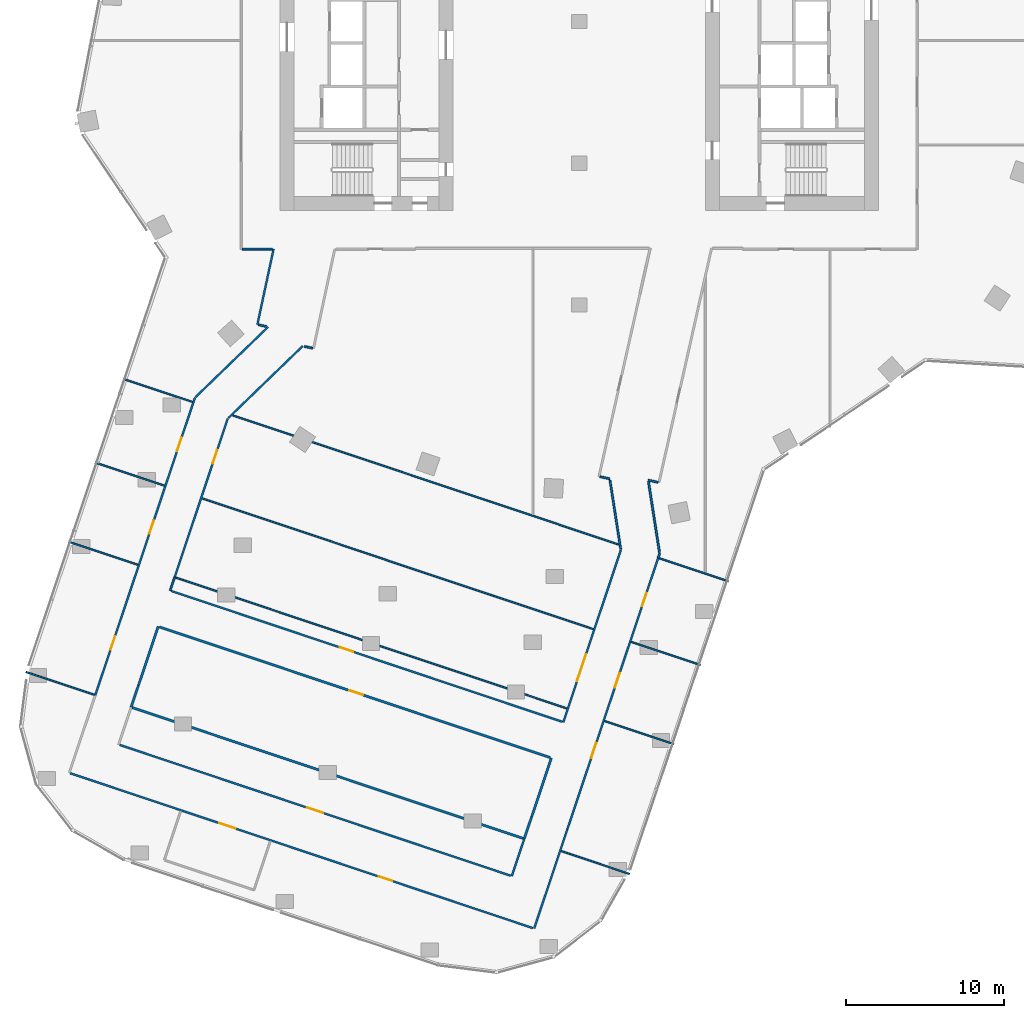
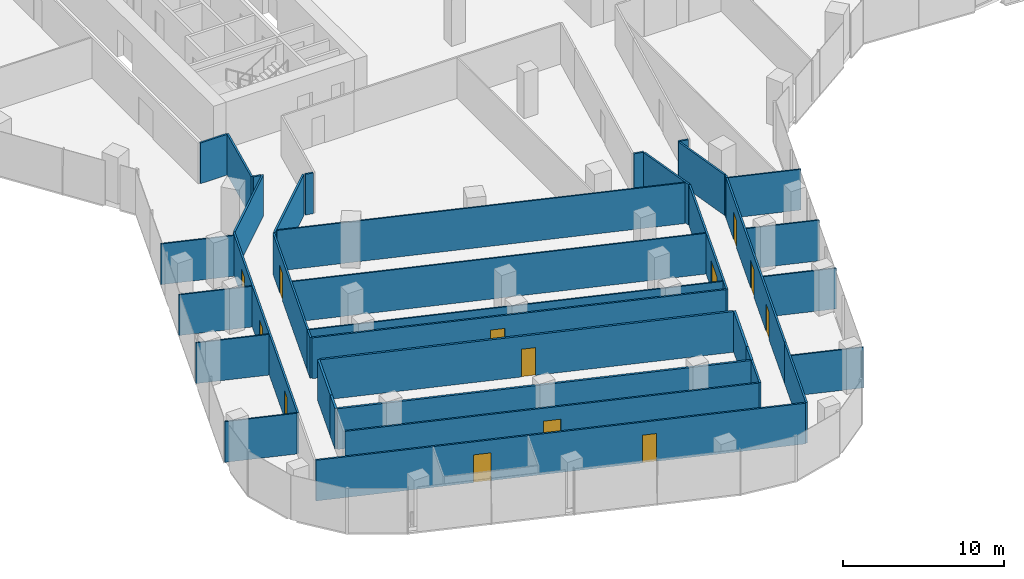
# One storey, part 19 of 26: 38 walls, 13 doors, 13 openings.
"""IFC4 building model written with IfcOpenShell, lengths in metres."""

import ifcopenshell
import ifcopenshell.guid

model = None  # the IFC model being written
_history = None  # IfcOwnerHistory: only IFC2X3 demands one
_inside = {}  # id of a spatial element -> (the spatial element, [elements in it])
_under = {}  # id of a project, library or spatial element -> (it, [spatial elements below it])
_declared = {}  # id of a project -> (the project, [libraries it declares])
_typed = {}  # id of a type object -> (the type object, [elements of that type])
_made_of = {}  # id of a material, layer set ... -> (it, [elements and type objects made of it])


def new_model(schema):
    """Start an empty IFC model of exactly this schema.

    Asked for "IFC4X3", IfcOpenShell would pick the latest addendum, in which some entities
    have other attributes; the version numbers below select the first issue.
    IFC2X3 requires an IfcOwnerHistory on every rooted entity: one is made here for all.
    """
    global model, _history
    if schema == "IFC4X3":
        model = ifcopenshell.file(schema_version=(4, 3, 0, 0))
    else:
        model = ifcopenshell.file(schema=schema)
    _inside.clear()
    _under.clear()
    _declared.clear()
    _typed.clear()
    _made_of.clear()
    _history = None
    if model.schema == "IFC2X3":
        org = make("IfcOrganization", Name="unknown")
        user = make(
            "IfcPersonAndOrganization",
            ThePerson=make("IfcPerson", FamilyName="unknown"),
            TheOrganization=org,
        )
        app = make(
            "IfcApplication",
            ApplicationDeveloper=org,
            Version="unknown",
            ApplicationFullName="unknown",
            ApplicationIdentifier="unknown",
        )
        _history = make(
            "IfcOwnerHistory",
            OwningUser=user,
            OwningApplication=app,
            ChangeAction="ADDED",
            CreationDate=0,
        )
    return model


def make(cls, **values):
    """One entity of the class cls with the attributes given. An attribute that is None is left unset."""
    return model.create_entity(
        cls, **{name: value for name, value in values.items() if value is not None}
    )


def rooted(cls, **values):
    """An entity with a GlobalId (a new one), such as an element, a storey or a relation."""
    return make(cls, GlobalId=ifcopenshell.guid.new(), OwnerHistory=_history, **values)


def si_unit(unit_type, name, prefix=None):
    """IfcSIUnit, for example si_unit("LENGTHUNIT", "METRE", prefix="MILLI")."""
    return make("IfcSIUnit", UnitType=unit_type, Prefix=prefix, Name=name)


def assignment(units):
    """IfcUnitAssignment: the units of a project."""
    return None if units is None else make("IfcUnitAssignment", Units=units)


def point(xyz):
    """IfcCartesianPoint."""
    return None if xyz is None else make("IfcCartesianPoint", Coordinates=xyz)


def direction(xyz):
    """IfcDirection."""
    return None if xyz is None else make("IfcDirection", DirectionRatios=xyz)


def frame(location, z_axis=None, x_axis=None):
    """IfcAxis2Placement3D, a coordinate frame: its origin and axes. An axis left out is left unset."""
    return make(
        "IfcAxis2Placement3D",
        Location=point(location),
        Axis=direction(z_axis),
        RefDirection=direction(x_axis),
    )


def frame_2d(location, x_axis=None):
    """IfcAxis2Placement2D, a coordinate frame in the plane: its origin and x axis."""
    return make(
        "IfcAxis2Placement2D", Location=point(location), RefDirection=direction(x_axis)
    )


def origin():
    """The frame at (0, 0, 0) with its axes left unset."""
    return frame((0.0, 0.0, 0.0))


def place(relative_to, where):
    """IfcLocalPlacement: puts the frame where relative to a parent placement (None: the world)."""
    return make(
        "IfcLocalPlacement", PlacementRelTo=relative_to, RelativePlacement=where
    )


def context(
    kind, dimensions, precision=None, world=None, true_north=None, identifier=None
):
    """IfcGeometricRepresentationContext, for example the 3D "Model" context."""
    return make(
        "IfcGeometricRepresentationContext",
        ContextIdentifier=identifier,
        ContextType=kind,
        CoordinateSpaceDimension=dimensions,
        Precision=precision,
        WorldCoordinateSystem=world,
        TrueNorth=true_north,
    )


def subcontext(parent, identifier, kind, view, scale=None):
    """IfcGeometricRepresentationSubContext, for example "Body" below "Model"."""
    return make(
        "IfcGeometricRepresentationSubContext",
        ContextIdentifier=identifier,
        ContextType=kind,
        ParentContext=parent,
        TargetScale=scale,
        TargetView=view,
    )


def project(units=None, contexts=None):
    """IfcProject with its units and contexts."""
    return rooted(
        "IfcProject",
        Name="project",
        RepresentationContexts=contexts,
        UnitsInContext=assignment(units),
    )


def spatial(cls, under=None, at=None, **own):
    """A site, building, storey or space (cls), placed at a placement, below another one or the project."""
    s = rooted(cls, ObjectPlacement=at, **own)
    if under is not None:
        _under.setdefault(under.id(), (under, []))[1].append(s)
    return s


def profile(cls, at=None, kind="AREA", **sizes):
    """A parametric profile (cls). Its sizes go by their IFC names, for example OverallWidth=200.0."""
    return make(cls, ProfileType=kind, Position=at, **sizes)


def rectangle(**sizes):
    """IfcRectangleProfileDef."""
    return profile("IfcRectangleProfileDef", **sizes)


def extrude(swept, where, along, depth):
    """IfcExtrudedAreaSolid: the profile swept, set in the frame where, extruded along a direction by depth."""
    return make(
        "IfcExtrudedAreaSolid",
        SweptArea=swept,
        Position=where,
        ExtrudedDirection=direction(along),
        Depth=depth,
    )


def shape(context_of_items, identifier, shape_type, items):
    """IfcShapeRepresentation: the items that make up one representation, for example the "Body"."""
    return make(
        "IfcShapeRepresentation",
        ContextOfItems=context_of_items,
        RepresentationIdentifier=identifier,
        RepresentationType=shape_type,
        Items=items,
    )


def material(Name=None, Category=None):
    """IfcMaterial."""
    return make("IfcMaterial", Name=Name, Category=Category)


def layer(
    of_material, thickness, ventilated=None, Name=None, Category=None, Priority=None
):
    """IfcMaterialLayer: one layer of a wall or slab, of a material (None: an air gap)."""
    return make(
        "IfcMaterialLayer",
        Material=of_material,
        LayerThickness=thickness,
        IsVentilated=ventilated,
        Name=Name,
        Category=Category,
        Priority=Priority,
    )


def layer_set(layers, Name=None):
    """IfcMaterialLayerSet."""
    return make("IfcMaterialLayerSet", MaterialLayers=layers, LayerSetName=Name)


def made_of(thing, what):
    """Note that an element or type object is made of a material, layer set ...; save() writes the relation."""
    if what is not None:
        _made_of.setdefault(what.id(), (what, []))[1].append(thing)
    return thing


def type_object(cls, material=None, **own):
    """A type object (cls), such as IfcWallType, which elements share."""
    return made_of(rooted(cls, **own), material)


def element(
    cls,
    number,
    at=None,
    inside=None,
    cuts=None,
    type_object=None,
    material=None,
    context=None,
    identifier="Body",
    shape_type=None,
    held_by="IfcProductDefinitionShape",
    body=None,
    shapes=None,
    **own,
):
    """One element of the class cls, such as IfcWall. Its Tag is "e" and its number.

    at: its placement. inside: the storey or other place that contains it. cuts: it is an
    opening in that element (IfcRelVoidsElement). A single representation is given by context,
    identifier, shape_type and body (its items); several are given by shapes. held_by: the class
    of the entity that holds the representations. save() writes the other relations.
    """
    e = rooted(cls, Tag="e%d" % number, ObjectPlacement=at, **own)
    if body is not None:
        shapes = [shape(context, identifier, shape_type, body)]
    if shapes is not None:
        e.Representation = make(held_by, Representations=shapes)
    if inside is not None:
        _inside.setdefault(inside.id(), (inside, []))[1].append(e)
    if cuts is not None:
        rooted(
            "IfcRelVoidsElement", RelatingBuildingElement=cuts, RelatedOpeningElement=e
        )
    if type_object is not None:
        _typed.setdefault(type_object.id(), (type_object, []))[1].append(e)
    return made_of(e, material)


def fill(opening, filler):
    """IfcRelFillsElement: the door or window that sits in an opening."""
    return rooted(
        "IfcRelFillsElement",
        RelatingOpeningElement=opening,
        RelatedBuildingElement=filler,
    )


def aggregate(whole, parts):
    """IfcRelAggregates: a whole, such as a stair, and the parts it consists of."""
    return rooted("IfcRelAggregates", RelatingObject=whole, RelatedObjects=parts)


def save(model, path):
    """Write the relations noted so far, then the file.

    IfcRelAggregates (storeys below a building ...), IfcRelContainedInSpatialStructure (elements
    in a storey), IfcRelDefinesByType, IfcRelAssociatesMaterial and IfcRelDeclares: one each for
    every whole, place, type object, material and project.
    """
    for whole, parts in _under.values():
        aggregate(whole, parts)
    for where, things in _inside.values():
        rooted(
            "IfcRelContainedInSpatialStructure",
            RelatedElements=things,
            RelatingStructure=where,
        )
    for kind, things in _typed.values():
        rooted("IfcRelDefinesByType", RelatedObjects=things, RelatingType=kind)
    for what, things in _made_of.values():
        rooted("IfcRelAssociatesMaterial", RelatedObjects=things, RelatingMaterial=what)
    for by, libraries in _declared.values():
        rooted("IfcRelDeclares", RelatingContext=by, RelatedDefinitions=libraries)
    model.write(path)


model = new_model("IFC4")

# Units and contexts
model_context = context("Model", 3, precision=1e-05, world=origin(), true_north=direction((0.0, 1.0)))
body_context = subcontext(model_context, "Body", "Model", "MODEL_VIEW")
ifc_project = project(units=[si_unit("LENGTHUNIT", "METRE"), si_unit("AREAUNIT", "SQUARE_METRE"), si_unit("VOLUMEUNIT", "CUBIC_METRE"), si_unit("PLANEANGLEUNIT", "RADIAN"), si_unit("MASSUNIT", "GRAM", prefix="KILO")], contexts=[model_context])

# Site, building, storey
site_placement = place(None, origin())
site = spatial("IfcSite", under=ifc_project, at=site_placement, CompositionType="ELEMENT")
building_placement = place(site_placement, origin())
building = spatial("IfcBuilding", under=site, at=building_placement, Name="Orlundy Tower", CompositionType="ELEMENT")
storey_placement = place(building_placement, frame((0.0, 0.0, 156.10009765625)))
storey = spatial("IfcBuildingStorey", under=building, at=storey_placement, Name="L40", CompositionType="ELEMENT", Elevation=156.10009765625)

# Walls
ifc_material_1 = material(Name="Gypsum board partition")
ifc_layer_1 = layer(ifc_material_1, 0.10009765625)
ifc_layer_set_1 = layer_set([ifc_layer_1], Name="Floor partition 100")
wall_type_1 = type_object("IfcWallType", Name="Floor partition 100", PredefinedType="PARTITIONING", material=ifc_layer_set_1)
wall_1_placement = place(storey_placement, frame((-35.112060546875, -41.2919921875, 0.0), z_axis=(0.0, 0.0, 1.0), x_axis=(0.94831984375, -0.317316047419, 0.0)))
element("IfcWall", 1, at=wall_1_placement, inside=storey, type_object=wall_type_1, Name="wall-int-L40-006", PredefinedType="PARTITIONING", context=body_context, shape_type="SweptSolid", body=[
    extrude(rectangle(XDim=4.57568359375, YDim=0.10009765625, at=frame_2d((2.287841796875, 0.0))), origin(), (0.0, 0.0, 1.0), 3.079833984375),
])
wall_2_placement = place(storey_placement, frame((-1.14892578125, -52.656982421875, 0.0), z_axis=(0.0, 0.0, 1.0), x_axis=(0.948400148701, -0.317075949805, 0.0)))
element("IfcWall", 2, at=wall_2_placement, inside=storey, type_object=wall_type_1, Name="wall-int-L40-008", PredefinedType="PARTITIONING", context=body_context, shape_type="SweptSolid", body=[
    extrude(rectangle(XDim=4.575927734375, YDim=0.10009765625, at=frame_2d((2.2880859375, 0.0))), origin(), (0.0, 0.0, 1.0), 3.079833984375),
])
wall_3_placement = place(storey_placement, frame((-32.404052734375, -33.02490234375, 0.0), z_axis=(0.0, 0.0, 1.0), x_axis=(0.948382448694, -0.317128887062, 0.0)))
element("IfcWall", 3, at=wall_3_placement, inside=storey, type_object=wall_type_1, Name="wall-int-L40-011", PredefinedType="PARTITIONING", context=body_context, shape_type="SweptSolid", body=[
    extrude(rectangle(XDim=4.632080078125, YDim=0.10009765625, at=frame_2d((2.31591796875, 0.0))), origin(), (0.0, 0.0, 1.0), 3.079833984375),
])
wall_4_placement = place(storey_placement, frame((-25.616943359375, -35.2958984375, 0.0), z_axis=(0.0, 0.0, 1.0), x_axis=(0.948326561211, -0.317295971139, 0.0)))
element("IfcWall", 4, at=wall_4_placement, inside=storey, type_object=wall_type_1, Name="wall-int-L40-012", PredefinedType="PARTITIONING", context=body_context, shape_type="SweptSolid", body=[
    extrude(rectangle(XDim=26.187255859375, YDim=0.10009765625, at=frame_2d((13.09375, 0.0))), origin(), (0.0, 0.0, 1.0), 3.079833984375),
])
wall_5_placement = place(storey_placement, frame((1.612060546875, -44.406982421875, 0.0), z_axis=(0.0, 0.0, 1.0), x_axis=(0.948334710824, -0.317271612734, 0.0)))
element("IfcWall", 5, at=wall_5_placement, inside=storey, type_object=wall_type_1, Name="wall-int-L40-013", PredefinedType="PARTITIONING", context=body_context, shape_type="SweptSolid", body=[
    extrude(rectangle(XDim=4.630126953125, YDim=0.10009765625, at=frame_2d((2.31494140625, 0.0))), origin(), (0.0, 0.0, 1.0), 3.079833984375),
])
wall_6_placement = place(storey_placement, frame((-30.721923828125, -27.9990234375, 0.0), z_axis=(0.0, 0.0, 1.0), x_axis=(0.948355935611, -0.317208164132, 0.0)))
element("IfcWall", 6, at=wall_6_placement, inside=storey, type_object=wall_type_1, Name="wall-int-L40-014", PredefinedType="PARTITIONING", context=body_context, shape_type="SweptSolid", body=[
    extrude(rectangle(XDim=4.631103515625, YDim=0.10009765625, at=frame_2d((2.3154296875, 0.0))), origin(), (0.0, 0.0, 1.0), 3.079833984375),
])
wall_7_placement = place(storey_placement, frame((-23.93505859375, -30.27001953125, 0.0), z_axis=(0.0, 0.0, 1.0), x_axis=(0.948326561211, -0.317295971139, 0.0)))
element("IfcWall", 7, at=wall_7_placement, inside=storey, type_object=wall_type_1, Name="wall-int-L40-015", PredefinedType="PARTITIONING", context=body_context, shape_type="SweptSolid", body=[
    extrude(rectangle(XDim=26.187255859375, YDim=0.10009765625, at=frame_2d((13.09375, 0.0))), origin(), (0.0, 0.0, 1.0), 3.079833984375),
])
wall_8_placement = place(storey_placement, frame((3.2939453125, -39.3798828125, 0.0), z_axis=(0.0, 0.0, 1.0), x_axis=(0.948260676976, -0.317492816455, 0.0)))
element("IfcWall", 8, at=wall_8_placement, inside=storey, type_object=wall_type_1, Name="wall-int-L40-016", PredefinedType="PARTITIONING", context=body_context, shape_type="SweptSolid", body=[
    extrude(rectangle(XDim=4.630615234375, YDim=0.10009765625, at=frame_2d((2.3154296875, 0.0))), origin(), (0.0, 0.0, 1.0), 3.079833984375),
])
wall_9_placement = place(storey_placement, frame((-28.943115234375, -22.681884765625, 0.0), z_axis=(0.0, 0.0, 1.0), x_axis=(0.948361239818, -0.317192305725, 0.0)))
element("IfcWall", 9, at=wall_9_placement, inside=storey, type_object=wall_type_1, Name="wall-int-L40-017", PredefinedType="PARTITIONING", context=body_context, shape_type="SweptSolid", body=[
    extrude(rectangle(XDim=4.63134765625, YDim=0.10009765625, at=frame_2d((2.315673828125, 0.0))), origin(), (0.0, 0.0, 1.0), 3.079833984375),
])
wall_10_placement = place(storey_placement, frame((-21.97998046875, -25.011962890625, 0.0), z_axis=(0.0, 0.0, 1.0), x_axis=(0.948330909895, -0.317282973603, 0.0)))
element("IfcWall", 10, at=wall_10_placement, inside=storey, type_object=wall_type_1, Name="wall-int-L40-018", PredefinedType="PARTITIONING", context=body_context, shape_type="SweptSolid", body=[
    extrude(rectangle(XDim=25.81591796875, YDim=0.10009765625, at=frame_2d((12.907958984375, 0.0))), origin(), (0.0, 0.0, 1.0), 3.079833984375),
])
wall_11_placement = place(storey_placement, frame((5.072021484375, -34.06396484375, 0.0), z_axis=(0.0, 0.0, 1.0), x_axis=(0.948361239818, -0.317192305725, 0.0)))
element("IfcWall", 11, at=wall_11_placement, inside=storey, type_object=wall_type_1, Name="wall-int-L40-019", PredefinedType="PARTITIONING", context=body_context, shape_type="SweptSolid", body=[
    extrude(rectangle(XDim=4.63134765625, YDim=0.10009765625, at=frame_2d((2.315673828125, 0.0))), origin(), (0.0, 0.0, 1.0), 3.079833984375),
])
ifc_material_2 = material(Name="Gypsum board partition, double layer")
ifc_layer_2 = layer(ifc_material_2, 0.125)
ifc_layer_set_2 = layer_set([ifc_layer_2], Name="Floor partition 125")
wall_type_2 = type_object("IfcWallType", Name="Floor partition 125", PredefinedType="PARTITIONING", material=ifc_layer_set_2)
wall_12_placement = place(storey_placement, frame((2.634033203125, -33.4970703125, 0.0), z_axis=(0.0, 0.0, 1.0), x_axis=(-0.153972826204, 0.988075082567, 0.0)))
element("IfcWall", 12, at=wall_12_placement, inside=storey, type_object=wall_type_2, Name="wall-int-L40-001", PredefinedType="PARTITIONING", context=body_context, shape_type="SweptSolid", body=[
    extrude(rectangle(XDim=4.423828125, YDim=0.125, at=frame_2d((2.2119140625, 0.0))), origin(), (0.0, 0.0, 1.0), 3.079833984375),
])
wall_13_placement = place(storey_placement, frame((4.39501953125, -29.20703125, 0.0), z_axis=(0.0, 0.0, 1.0), x_axis=(0.153971141753, -0.988075345056, 0.0)))
element("IfcWall", 13, at=wall_13_placement, inside=storey, type_object=wall_type_2, Name="wall-int-L40-002", PredefinedType="PARTITIONING", context=body_context, shape_type="SweptSolid", body=[
    extrude(rectangle(XDim=4.55224609375, YDim=0.125, at=frame_2d((2.276123046875, 0.0))), origin(), (0.0, 0.0, 1.0), 3.079833984375),
])

# Wall, openings, doors
wall_14_placement = place(storey_placement, frame((-2.93994140625, -57.547119140625, 0.0), z_axis=(0.0, 0.0, 1.0), x_axis=(-0.948265401731, 0.317478704609, 0.0)))
wall_14 = element("IfcWall", 14, at=wall_14_placement, inside=storey, type_object=wall_type_2, Name="wall-int-L40-004", PredefinedType="PARTITIONING", context=body_context, shape_type="SweptSolid", body=[
    extrude(rectangle(XDim=30.966064453125, YDim=0.125, at=frame_2d((15.48291015625, 0.0))), origin(), (0.0, 0.0, 1.0), 3.079833984375),
])
opening_1_placement = place(wall_14_placement, frame((9.415283203125, 0.0, 0.0)))
opening_1 = element("IfcOpeningElement", 15, at=opening_1_placement, cuts=wall_14, Name="Opening 31108", PredefinedType="OPENING", context=body_context, shape_type="SweptSolid", body=[
    extrude(rectangle(XDim=0.89990234375, YDim=2.10009765625, at=frame_2d((0.449951171875, 1.050048828125))), frame((0.0, 0.072509765625, 0.0), z_axis=(0.0, -1.0, 0.0), x_axis=(1.0, 0.0, 0.0)), (0.0, 0.0, 1.0), 0.14501953125),
])
opening_2_placement = place(wall_14_placement, frame((19.899658203125, 0.0, 0.0)))
opening_2 = element("IfcOpeningElement", 16, at=opening_2_placement, cuts=wall_14, Name="Opening 31128", PredefinedType="OPENING", context=body_context, shape_type="SweptSolid", body=[
    extrude(rectangle(XDim=1.10009765625, YDim=2.10009765625, at=frame_2d((0.550048828125, 1.050048828125))), frame((0.0, 0.072509765625, 0.0), z_axis=(0.0, -1.0, 0.0), x_axis=(1.0, 0.0, 0.0)), (0.0, 0.0, 1.0), 0.14501953125),
])
ifc_material_3 = material(Name="Timber door leaf", Category="wood")
door_type_1 = type_object("IfcDoorType", Name="Floor door single 900 FD30S", OperationType="NOTDEFINED", PredefinedType="DOOR", material=ifc_material_3)
door_1_placement = place(opening_1_placement, origin())
door_1 = element("IfcDoor", 17, at=door_1_placement, inside=storey, type_object=door_type_1, Name="Door 31108", OperationType="SINGLE_SWING_LEFT", OverallHeight=2.10009765625, OverallWidth=0.89990234375, PredefinedType="DOOR", context=body_context, shape_type="SweptSolid", body=[
    extrude(rectangle(XDim=0.89990234375, YDim=2.10009765625, at=frame_2d((0.449951171875, 1.050048828125))), frame((0.0, 0.02490234375, 0.0), z_axis=(0.0, -1.0, 0.0), x_axis=(1.0, 0.0, 0.0)), (0.0, 0.0, 1.0), 0.050048828125),
])
fill(opening_1, door_1)
ifc_material_4 = material(Name="Timber door leaf", Category="wood")
door_type_2 = type_object("IfcDoorType", Name="Floor door xwide 1100 FD30S", OperationType="NOTDEFINED", PredefinedType="DOOR", material=ifc_material_4)
door_2_placement = place(opening_2_placement, origin())
door_2 = element("IfcDoor", 18, at=door_2_placement, inside=storey, type_object=door_type_2, Name="Door 31128", OperationType="SINGLE_SWING_RIGHT", OverallHeight=2.10009765625, OverallWidth=1.10009765625, PredefinedType="DOOR", context=body_context, shape_type="SweptSolid", body=[
    extrude(rectangle(XDim=1.10009765625, YDim=2.10009765625, at=frame_2d((0.550048828125, 1.050048828125))), frame((0.0, 0.02490234375, 0.0), z_axis=(0.0, -1.0, 0.0), x_axis=(1.0, 0.0, 0.0)), (0.0, 0.0, 1.0), 0.050048828125),
])
fill(opening_2, door_2)

# Wall, opening, door
wall_15_placement = place(storey_placement, frame((-29.1708984375, -45.9169921875, 0.0), z_axis=(0.0, 0.0, 1.0), x_axis=(0.948337781815, -0.317262433299, 0.0)))
wall_15 = element("IfcWall", 19, at=wall_15_placement, inside=storey, type_object=wall_type_2, Name="wall-int-L40-005", PredefinedType="PARTITIONING", context=body_context, shape_type="SweptSolid", body=[
    extrude(rectangle(XDim=26.186767578125, YDim=0.125, at=frame_2d((13.09326171875, 0.0))), origin(), (0.0, 0.0, 1.0), 3.079833984375),
])
opening_3_placement = place(wall_15_placement, frame((12.53759765625, 0.0, 0.0)))
opening_3 = element("IfcOpeningElement", 20, at=opening_3_placement, cuts=wall_15, Name="Opening 31107", PredefinedType="OPENING", context=body_context, shape_type="SweptSolid", body=[
    extrude(rectangle(XDim=1.10009765625, YDim=2.10009765625, at=frame_2d((0.550048828125, 1.050048828125))), frame((0.0, 0.072509765625, 0.0), z_axis=(0.0, -1.0, 0.0), x_axis=(1.0, 0.0, 0.0)), (0.0, 0.0, 1.0), 0.14501953125),
])
door_3_placement = place(opening_3_placement, origin())
door_3 = element("IfcDoor", 21, at=door_3_placement, inside=storey, type_object=door_type_2, Name="Door 31107", OperationType="SINGLE_SWING_LEFT", OverallHeight=2.10009765625, OverallWidth=1.10009765625, PredefinedType="DOOR", context=body_context, shape_type="SweptSolid", body=[
    extrude(rectangle(XDim=1.10009765625, YDim=2.10009765625, at=frame_2d((0.550048828125, 1.050048828125))), frame((0.0, 0.02490234375, 0.0), z_axis=(0.0, -1.0, 0.0), x_axis=(1.0, 0.0, 0.0)), (0.0, 0.0, 1.0), 0.050048828125),
])
fill(opening_3, door_3)

wall_16_placement = place(storey_placement, frame((-25.90087890625, -36.14599609375, 0.0), z_axis=(0.0, 0.0, 1.0), x_axis=(0.948326561211, -0.317295971139, 0.0)))
wall_16 = element("IfcWall", 22, at=wall_16_placement, inside=storey, type_object=wall_type_2, Name="wall-int-L40-010", PredefinedType="PARTITIONING", context=body_context, shape_type="SweptSolid", body=[
    extrude(rectangle(XDim=26.187255859375, YDim=0.125, at=frame_2d((13.09375, 0.0))), origin(), (0.0, 0.0, 1.0), 3.079833984375),
])
opening_4_placement = place(wall_16_placement, frame((11.28759765625, 0.0, 0.0)))
opening_4 = element("IfcOpeningElement", 23, at=opening_4_placement, cuts=wall_16, Name="Opening 31105", PredefinedType="OPENING", context=body_context, shape_type="SweptSolid", body=[
    extrude(rectangle(XDim=0.89990234375, YDim=2.10009765625, at=frame_2d((0.449951171875, 1.050048828125))), frame((0.0, 0.072509765625, 0.0), z_axis=(0.0, -1.0, 0.0), x_axis=(1.0, 0.0, 0.0)), (0.0, 0.0, 1.0), 0.14501953125),
])
door_4_placement = place(opening_4_placement, origin())
door_4 = element("IfcDoor", 24, at=door_4_placement, inside=storey, type_object=door_type_1, Name="Door 31105", OperationType="SINGLE_SWING_LEFT", OverallHeight=2.10009765625, OverallWidth=0.89990234375, PredefinedType="DOOR", context=body_context, shape_type="SweptSolid", body=[
    extrude(rectangle(XDim=0.89990234375, YDim=2.10009765625, at=frame_2d((0.449951171875, 1.050048828125))), frame((0.0, 0.02490234375, 0.0), z_axis=(0.0, -1.0, 0.0), x_axis=(1.0, 0.0, 0.0)), (0.0, 0.0, 1.0), 0.050048828125),
])
fill(opening_4, door_4)

# Walls
wall_17_placement = place(storey_placement, frame((1.31689453125, -28.89599609375, 0.0), z_axis=(0.0, 0.0, 1.0), x_axis=(0.9759612217, -0.217944244563, 0.0)))
element("IfcWall", 25, at=wall_17_placement, inside=storey, type_object=wall_type_2, Name="wall-int-L40-020", PredefinedType="PARTITIONING", context=body_context, shape_type="SweptSolid", body=[
    extrude(rectangle(XDim=0.637451171875, YDim=0.125, at=frame_2d((0.31884765625, 0.0))), origin(), (0.0, 0.0, 1.0), 3.079833984375),
])
wall_18_placement = place(storey_placement, frame((4.381103515625, -29.115966796875, 0.0), z_axis=(0.0, 0.0, 1.0), x_axis=(0.975943017671, -0.218025746782, 0.0)))
element("IfcWall", 26, at=wall_18_placement, inside=storey, type_object=wall_type_2, Name="wall-int-L40-021", PredefinedType="PARTITIONING", context=body_context, shape_type="SweptSolid", body=[
    extrude(rectangle(XDim=0.63720703125, YDim=0.125, at=frame_2d((0.318603515625, 0.0))), origin(), (0.0, 0.0, 1.0), 3.079833984375),
])
wall_19_placement = place(storey_placement, frame((-17.43310546875, -20.6298828125, 0.0), z_axis=(0.0, 0.0, 1.0), x_axis=(0.977781820865, -0.209625167351, 0.0)))
element("IfcWall", 27, at=wall_19_placement, inside=storey, type_object=wall_type_2, Name="wall-int-L40-022", PredefinedType="PARTITIONING", context=body_context, shape_type="SweptSolid", body=[
    extrude(rectangle(XDim=0.5205078125, YDim=0.125, at=frame_2d((0.26025390625, 0.0))), origin(), (0.0, 0.0, 1.0), 3.079833984375),
])
wall_20_placement = place(storey_placement, frame((-20.364013671875, -19.25390625, 0.0), z_axis=(0.0, 0.0, 1.0), x_axis=(0.977699164018, -0.210010344217, 0.0)))
element("IfcWall", 28, at=wall_20_placement, inside=storey, type_object=wall_type_2, Name="wall-int-L40-023", PredefinedType="PARTITIONING", context=body_context, shape_type="SweptSolid", body=[
    extrude(rectangle(XDim=0.51953125, YDim=0.125, at=frame_2d((0.259765625, 0.0))), origin(), (0.0, 0.0, 1.0), 3.079833984375),
])
wall_21_placement = place(storey_placement, frame((-21.386962890625, -14.450927734375, 0.0), z_axis=(0.0, 0.0, 1.0), x_axis=(1.0, 0.0, 0.0)))
element("IfcWall", 29, at=wall_21_placement, inside=storey, type_object=wall_type_2, Name="wall-int-L40-024", PredefinedType="PARTITIONING", context=body_context, shape_type="SweptSolid", body=[
    extrude(rectangle(XDim=1.911865234375, YDim=0.125, at=frame_2d((0.9560546875, 0.0))), origin(), (0.0, 0.0, 1.0), 3.079833984375),
])
wall_22_placement = place(storey_placement, frame((-17.547119140625, -20.60498046875, 0.0), z_axis=(0.0, 0.0, 1.0), x_axis=(-0.718656118165, -0.695365647572, 0.0)))
element("IfcWall", 30, at=wall_22_placement, inside=storey, type_object=wall_type_2, Name="wall-int-L40-038", PredefinedType="PARTITIONING", context=body_context, shape_type="SweptSolid", body=[
    extrude(rectangle(XDim=6.56201171875, YDim=0.125, at=frame_2d((3.281005859375, 0.0))), origin(), (0.0, 0.0, 1.0), 3.079833984375),
])
wall_23_placement = place(storey_placement, frame((-24.35400390625, -23.85009765625, 0.0), z_axis=(0.0, 0.0, 1.0), x_axis=(0.718689835624, 0.695330799095, 0.0)))
element("IfcWall", 31, at=wall_23_placement, inside=storey, type_object=wall_type_2, Name="wall-int-L40-039", PredefinedType="PARTITIONING", context=body_context, shape_type="SweptSolid", body=[
    extrude(rectangle(XDim=6.417236328125, YDim=0.125, at=frame_2d((3.20849609375, 0.0))), origin(), (0.0, 0.0, 1.0), 3.079833984375),
])
wall_24_placement = place(storey_placement, frame((-2.85791015625, -57.568115234375, 0.0), z_axis=(0.0, 0.0, 1.0), x_axis=(0.317328623894, 0.94831563546, 0.0)))
element("IfcWall", 32, at=wall_24_placement, inside=storey, type_object=wall_type_2, Name="wall-int-L40-040", PredefinedType="PARTITIONING", context=body_context, shape_type="SweptSolid", body=[
    extrude(rectangle(XDim=6.65185546875, YDim=0.125, at=frame_2d((3.325927734375, 0.0))), origin(), (0.0, 0.0, 1.0), 3.079833984375),
])
wall_25_placement = place(storey_placement, frame((5.012939453125, -34.0439453125, 0.0), z_axis=(0.0, 0.0, 1.0), x_axis=(0.318483843222, 0.947928289274, 0.0)))
element("IfcWall", 33, at=wall_25_placement, inside=storey, type_object=wall_type_2, Name="wall-int-L40-041", PredefinedType="PARTITIONING", context=body_context, shape_type="SweptSolid", body=[
    extrude(rectangle(XDim=0.2919921875, YDim=0.125, at=frame_2d((0.14599609375, 0.0))), origin(), (0.0, 0.0, 1.0), 3.079833984375),
])

# Wall, openings, doors
wall_26_placement = place(storey_placement, frame((5.013916015625, -34.047119140625, 0.0), z_axis=(0.0, 0.0, 1.0), x_axis=(-0.317385597106, -0.948296568986, 0.0)))
wall_26 = element("IfcWall", 34, at=wall_26_placement, inside=storey, type_object=wall_type_2, Name="wall-int-L40-042", PredefinedType="PARTITIONING", context=body_context, shape_type="SweptSolid", body=[
    extrude(rectangle(XDim=18.1513671875, YDim=0.125, at=frame_2d((9.07568359375, 0.0))), origin(), (0.0, 0.0, 1.0), 3.079833984375),
])
opening_5_placement = place(wall_26_placement, frame((2.34716796875, 0.0, 0.0)))
opening_5 = element("IfcOpeningElement", 35, at=opening_5_placement, cuts=wall_26, Name="Opening 31100", PredefinedType="OPENING", context=body_context, shape_type="SweptSolid", body=[
    extrude(rectangle(XDim=0.89990234375, YDim=2.10009765625, at=frame_2d((0.449951171875, 1.050048828125))), frame((0.0, 0.072509765625, 0.0), z_axis=(0.0, -1.0, 0.0), x_axis=(1.0, 0.0, 0.0)), (0.0, 0.0, 1.0), 0.14501953125),
])
opening_6_placement = place(wall_26_placement, frame((7.70263671875, 0.0, 0.0)))
opening_6 = element("IfcOpeningElement", 36, at=opening_6_placement, cuts=wall_26, Name="Opening 31101", PredefinedType="OPENING", context=body_context, shape_type="SweptSolid", body=[
    extrude(rectangle(XDim=1.0, YDim=2.10009765625, at=frame_2d((0.5, 1.050048828125))), frame((0.0, 0.072509765625, 0.0), z_axis=(0.0, -1.0, 0.0), x_axis=(1.0, 0.0, 0.0)), (0.0, 0.0, 1.0), 0.14501953125),
])
opening_7_placement = place(wall_26_placement, frame((12.398681640625, 0.0, 0.0)))
opening_7 = element("IfcOpeningElement", 37, at=opening_7_placement, cuts=wall_26, Name="Opening 31102", PredefinedType="OPENING", context=body_context, shape_type="SweptSolid", body=[
    extrude(rectangle(XDim=1.0, YDim=2.10009765625, at=frame_2d((0.5, 1.050048828125))), frame((0.0, 0.072509765625, 0.0), z_axis=(0.0, -1.0, 0.0), x_axis=(1.0, 0.0, 0.0)), (0.0, 0.0, 1.0), 0.14501953125),
])
door_5_placement = place(opening_5_placement, origin())
door_5 = element("IfcDoor", 38, at=door_5_placement, inside=storey, type_object=door_type_1, Name="Door 31100", OperationType="SINGLE_SWING_LEFT", OverallHeight=2.10009765625, OverallWidth=0.89990234375, PredefinedType="DOOR", context=body_context, shape_type="SweptSolid", body=[
    extrude(rectangle(XDim=0.89990234375, YDim=2.10009765625, at=frame_2d((0.449951171875, 1.050048828125))), frame((0.0, 0.02490234375, 0.0), z_axis=(0.0, -1.0, 0.0), x_axis=(1.0, 0.0, 0.0)), (0.0, 0.0, 1.0), 0.050048828125),
])
fill(opening_5, door_5)
ifc_material_5 = material(Name="Timber door leaf", Category="wood")
door_type_3 = type_object("IfcDoorType", Name="Floor door wide 1000 FD30S", OperationType="NOTDEFINED", PredefinedType="DOOR", material=ifc_material_5)
door_6_placement = place(opening_6_placement, origin())
door_6 = element("IfcDoor", 39, at=door_6_placement, inside=storey, type_object=door_type_3, Name="Door 31101", OperationType="SINGLE_SWING_LEFT", OverallHeight=2.10009765625, OverallWidth=1.0, PredefinedType="DOOR", context=body_context, shape_type="SweptSolid", body=[
    extrude(rectangle(XDim=1.0, YDim=2.10009765625, at=frame_2d((0.5, 1.050048828125))), frame((0.0, 0.02490234375, 0.0), z_axis=(0.0, -1.0, 0.0), x_axis=(1.0, 0.0, 0.0)), (0.0, 0.0, 1.0), 0.050048828125),
])
fill(opening_6, door_6)
door_7_placement = place(opening_7_placement, origin())
door_7 = element("IfcDoor", 40, at=door_7_placement, inside=storey, type_object=door_type_3, Name="Door 31102", OperationType="SINGLE_SWING_RIGHT", OverallHeight=2.10009765625, OverallWidth=1.0, PredefinedType="DOOR", context=body_context, shape_type="SweptSolid", body=[
    extrude(rectangle(XDim=1.0, YDim=2.10009765625, at=frame_2d((0.5, 1.050048828125))), frame((0.0, 0.02490234375, 0.0), z_axis=(0.0, -1.0, 0.0), x_axis=(1.0, 0.0, 0.0)), (0.0, 0.0, 1.0), 0.050048828125),
])
fill(opening_7, door_7)

# Wall
wall_27_placement = place(storey_placement, frame((-4.278076171875, -54.2451171875, 0.0), z_axis=(0.0, 0.0, 1.0), x_axis=(0.31728257411, 0.948331043553, 0.0)))
element("IfcWall", 41, at=wall_27_placement, inside=storey, type_object=wall_type_2, Name="wall-int-L40-044", PredefinedType="PARTITIONING", context=body_context, shape_type="SweptSolid", body=[
    extrude(rectangle(XDim=2.499267578125, YDim=0.125, at=frame_2d((1.24951171875, 0.0))), origin(), (0.0, 0.0, 1.0), 3.079833984375),
])

# Wall, opening, door
wall_28_placement = place(storey_placement, frame((-1.008056640625, -44.47509765625, 0.0), z_axis=(0.0, 0.0, 1.0), x_axis=(0.316889155775, 0.948462578572, 0.0)))
wall_28 = element("IfcWall", 42, at=wall_28_placement, inside=storey, type_object=wall_type_2, Name="wall-int-L40-046", PredefinedType="PARTITIONING", context=body_context, shape_type="SweptSolid", body=[
    extrude(rectangle(XDim=11.515625, YDim=0.125, at=frame_2d((5.7578125, 0.0))), origin(), (0.0, 0.0, 1.0), 3.079833984375),
])
opening_8_placement = place(wall_28_placement, frame((2.74609375, 0.0, 0.0)))
opening_8 = element("IfcOpeningElement", 43, at=opening_8_placement, cuts=wall_28, Name="Opening 31104", PredefinedType="OPENING", context=body_context, shape_type="SweptSolid", body=[
    extrude(rectangle(XDim=1.800048828125, YDim=2.10009765625, at=frame_2d((0.89990234375, 1.050048828125))), frame((0.0, 0.072509765625, 0.0), z_axis=(0.0, -1.0, 0.0), x_axis=(1.0, 0.0, 0.0)), (0.0, 0.0, 1.0), 0.14501953125),
])
ifc_material_6 = material(Name="Timber door leaf", Category="wood")
door_type_4 = type_object("IfcDoorType", Name="Floor door double 1800 FD30S", OperationType="NOTDEFINED", PredefinedType="DOOR", material=ifc_material_6)
door_8_placement = place(opening_8_placement, origin())
door_8 = element("IfcDoor", 44, at=door_8_placement, inside=storey, type_object=door_type_4, Name="Door 31104", OperationType="DOUBLE_DOOR_SINGLE_SWING", OverallHeight=2.10009765625, OverallWidth=1.800048828125, PredefinedType="DOOR", context=body_context, shape_type="SweptSolid", body=[
    extrude(rectangle(XDim=1.800048828125, YDim=2.10009765625, at=frame_2d((0.89990234375, 1.050048828125))), frame((0.0, 0.02490234375, 0.0), z_axis=(0.0, -1.0, 0.0), x_axis=(1.0, 0.0, 0.0)), (0.0, 0.0, 1.0), 0.050048828125),
])
fill(opening_8, door_8)

wall_29_placement = place(storey_placement, frame((-22.306884765625, -25.2099609375, 0.0), z_axis=(0.0, 0.0, 1.0), x_axis=(-0.317400526235, -0.948291572221, 0.0)))
wall_29 = element("IfcWall", 45, at=wall_29_placement, inside=storey, type_object=wall_type_2, Name="wall-int-L40-051", PredefinedType="PARTITIONING", context=body_context, shape_type="SweptSolid", body=[
    extrude(rectangle(XDim=10.61474609375, YDim=0.125, at=frame_2d((5.307373046875, 0.0))), origin(), (0.0, 0.0, 1.0), 3.079833984375),
])
opening_9_placement = place(wall_29_placement, frame((2.100830078125, 0.0, 0.0)))
opening_9 = element("IfcOpeningElement", 46, at=opening_9_placement, cuts=wall_29, Name="Opening 31103", PredefinedType="OPENING", context=body_context, shape_type="SweptSolid", body=[
    extrude(rectangle(XDim=0.89990234375, YDim=2.10009765625, at=frame_2d((0.449951171875, 1.050048828125))), frame((0.0, 0.072509765625, 0.0), z_axis=(0.0, -1.0, 0.0), x_axis=(1.0, 0.0, 0.0)), (0.0, 0.0, 1.0), 0.14501953125),
])
door_9_placement = place(opening_9_placement, origin())
door_9 = element("IfcDoor", 47, at=door_9_placement, inside=storey, type_object=door_type_1, Name="Door 31103", OperationType="SINGLE_SWING_LEFT", OverallHeight=2.10009765625, OverallWidth=0.89990234375, PredefinedType="DOOR", context=body_context, shape_type="SweptSolid", body=[
    extrude(rectangle(XDim=0.89990234375, YDim=2.10009765625, at=frame_2d((0.449951171875, 1.050048828125))), frame((0.0, 0.02490234375, 0.0), z_axis=(0.0, -1.0, 0.0), x_axis=(1.0, 0.0, 0.0)), (0.0, 0.0, 1.0), 0.050048828125),
])
fill(opening_9, door_9)

# Wall
wall_30_placement = place(storey_placement, frame((-25.9599609375, -36.1259765625, 0.0), z_axis=(0.0, 0.0, 1.0), x_axis=(0.316799745903, 0.948492446462, 0.0)))
element("IfcWall", 48, at=wall_30_placement, inside=storey, type_object=wall_type_2, Name="wall-int-L40-053", PredefinedType="PARTITIONING", context=body_context, shape_type="SweptSolid", body=[
    extrude(rectangle(XDim=0.896240234375, YDim=0.125, at=frame_2d((0.4482421875, 0.0))), origin(), (0.0, 0.0, 1.0), 3.079833984375),
])

# Wall, openings, doors
wall_31_placement = place(storey_placement, frame((-30.714111328125, -42.763916015625, 0.0), z_axis=(0.0, 0.0, 1.0), x_axis=(0.317699123241, 0.94819157721, 0.0)))
wall_31 = element("IfcWall", 49, at=wall_31_placement, inside=storey, type_object=wall_type_2, Name="wall-int-L40-054", PredefinedType="PARTITIONING", context=body_context, shape_type="SweptSolid", body=[
    extrude(rectangle(XDim=19.90625, YDim=0.125, at=frame_2d((9.953125, 0.0))), origin(), (0.0, 0.0, 1.0), 3.079833984375),
])
opening_10_placement = place(wall_31_placement, frame((16.349609375, 0.0, 0.0)))
opening_10 = element("IfcOpeningElement", 50, at=opening_10_placement, cuts=wall_31, Name="Opening 31109", PredefinedType="OPENING", context=body_context, shape_type="SweptSolid", body=[
    extrude(rectangle(XDim=0.89990234375, YDim=2.10009765625, at=frame_2d((0.449951171875, 1.050048828125))), frame((0.0, 0.072509765625, 0.0), z_axis=(0.0, -1.0, 0.0), x_axis=(1.0, 0.0, 0.0)), (0.0, 0.0, 1.0), 0.14501953125),
])
opening_11_placement = place(wall_31_placement, frame((10.800048828125, 0.0, 0.0)))
opening_11 = element("IfcOpeningElement", 51, at=opening_11_placement, cuts=wall_31, Name="Opening 31110", PredefinedType="OPENING", context=body_context, shape_type="SweptSolid", body=[
    extrude(rectangle(XDim=0.89990234375, YDim=2.10009765625, at=frame_2d((0.449951171875, 1.050048828125))), frame((0.0, 0.072509765625, 0.0), z_axis=(0.0, -1.0, 0.0), x_axis=(1.0, 0.0, 0.0)), (0.0, 0.0, 1.0), 0.14501953125),
])
opening_12_placement = place(wall_31_placement, frame((3.05126953125, 0.0, 0.0)))
opening_12 = element("IfcOpeningElement", 52, at=opening_12_placement, cuts=wall_31, Name="Opening 31111", PredefinedType="OPENING", context=body_context, shape_type="SweptSolid", body=[
    extrude(rectangle(XDim=0.89990234375, YDim=2.10009765625, at=frame_2d((0.449951171875, 1.050048828125))), frame((0.0, 0.072509765625, 0.0), z_axis=(0.0, -1.0, 0.0), x_axis=(1.0, 0.0, 0.0)), (0.0, 0.0, 1.0), 0.14501953125),
])
door_10_placement = place(opening_10_placement, origin())
door_10 = element("IfcDoor", 53, at=door_10_placement, inside=storey, type_object=door_type_1, Name="Door 31109", OperationType="SINGLE_SWING_RIGHT", OverallHeight=2.10009765625, OverallWidth=0.89990234375, PredefinedType="DOOR", context=body_context, shape_type="SweptSolid", body=[
    extrude(rectangle(XDim=0.89990234375, YDim=2.10009765625, at=frame_2d((0.449951171875, 1.050048828125))), frame((0.0, 0.02490234375, 0.0), z_axis=(0.0, -1.0, 0.0), x_axis=(1.0, 0.0, 0.0)), (0.0, 0.0, 1.0), 0.050048828125),
])
fill(opening_10, door_10)
door_11_placement = place(opening_11_placement, origin())
door_11 = element("IfcDoor", 54, at=door_11_placement, inside=storey, type_object=door_type_1, Name="Door 31110", OperationType="SINGLE_SWING_RIGHT", OverallHeight=2.10009765625, OverallWidth=0.89990234375, PredefinedType="DOOR", context=body_context, shape_type="SweptSolid", body=[
    extrude(rectangle(XDim=0.89990234375, YDim=2.10009765625, at=frame_2d((0.449951171875, 1.050048828125))), frame((0.0, 0.02490234375, 0.0), z_axis=(0.0, -1.0, 0.0), x_axis=(1.0, 0.0, 0.0)), (0.0, 0.0, 1.0), 0.050048828125),
])
fill(opening_11, door_11)
door_12_placement = place(opening_12_placement, origin())
door_12 = element("IfcDoor", 55, at=door_12_placement, inside=storey, type_object=door_type_1, Name="Door 31111", OperationType="SINGLE_SWING_LEFT", OverallHeight=2.10009765625, OverallWidth=0.89990234375, PredefinedType="DOOR", context=body_context, shape_type="SweptSolid", body=[
    extrude(rectangle(XDim=0.89990234375, YDim=2.10009765625, at=frame_2d((0.449951171875, 1.050048828125))), frame((0.0, 0.02490234375, 0.0), z_axis=(0.0, -1.0, 0.0), x_axis=(1.0, 0.0, 0.0)), (0.0, 0.0, 1.0), 0.050048828125),
])
fill(opening_12, door_12)

# Walls
wall_32_placement = place(storey_placement, frame((-19.39794921875, -14.450927734375, 0.0), z_axis=(0.0, 0.0, 1.0), x_axis=(-0.209848984455, -0.977733810259, 0.0)))
element("IfcWall", 56, at=wall_32_placement, inside=storey, type_object=wall_type_2, Name="wall-int-L40-061", PredefinedType="PARTITIONING", context=body_context, shape_type="SweptSolid", body=[
    extrude(rectangle(XDim=4.899169921875, YDim=0.125, at=frame_2d((2.44970703125, 0.0))), origin(), (0.0, 0.0, 1.0), 3.079833984375),
])
ifc_material_7 = material(Name="Blockwork shaft wall", Category="masonry")
ifc_layer_3 = layer(ifc_material_7, 0.14990234375)
ifc_layer_set_3 = layer_set([ifc_layer_3], Name="Floor shaft wall 150")
wall_type_3 = type_object("IfcWallType", Name="Floor shaft wall 150", PredefinedType="PARTITIONING", material=ifc_layer_set_3)
wall_33_placement = place(storey_placement, frame((-28.365966796875, -43.550048828125, 0.0), z_axis=(0.0, 0.0, 1.0), x_axis=(0.948327152728, -0.317294203223, 0.0)))
element("IfcWall", 57, at=wall_33_placement, inside=storey, type_object=wall_type_3, Name="wall-int-L40-007", PredefinedType="PARTITIONING", context=body_context, shape_type="SweptSolid", body=[
    extrude(rectangle(XDim=26.161865234375, YDim=0.14990234375, at=frame_2d((13.0810546875, 0.0))), origin(), (0.0, 0.0, 1.0), 3.079833984375),
])

# Wall, opening, door
wall_34_placement = place(storey_placement, frame((-1.841064453125, -46.72802734375, 0.0), z_axis=(0.0, 0.0, 1.0), x_axis=(-0.94832621322, 0.317297011205, 0.0)))
wall_34 = element("IfcWall", 58, at=wall_34_placement, inside=storey, type_object=wall_type_3, Name="wall-int-L40-009", PredefinedType="PARTITIONING", context=body_context, shape_type="SweptSolid", body=[
    extrude(rectangle(XDim=26.16162109375, YDim=0.14990234375, at=frame_2d((13.080810546875, 0.0))), origin(), (0.0, 0.0, 1.0), 3.079833984375),
])
opening_13_placement = place(wall_34_placement, frame((12.52490234375, 0.0, 0.0)))
opening_13 = element("IfcOpeningElement", 59, at=opening_13_placement, cuts=wall_34, Name="Opening 31106", PredefinedType="OPENING", context=body_context, shape_type="SweptSolid", body=[
    extrude(rectangle(XDim=0.89990234375, YDim=2.10009765625, at=frame_2d((0.449951171875, 1.050048828125))), frame((0.0, 0.0849609375, 0.0), z_axis=(0.0, -1.0, 0.0), x_axis=(1.0, 0.0, 0.0)), (0.0, 0.0, 1.0), 0.169921875),
])
ifc_material_8 = material(Name="Timber door leaf", Category="wood")
door_type_5 = type_object("IfcDoorType", Name="Floor door single 900 FD60", OperationType="NOTDEFINED", PredefinedType="DOOR", material=ifc_material_8)
door_13_placement = place(opening_13_placement, origin())
door_13 = element("IfcDoor", 60, at=door_13_placement, inside=storey, type_object=door_type_5, Name="Door 31106", OperationType="SINGLE_SWING_LEFT", OverallHeight=2.10009765625, OverallWidth=0.89990234375, PredefinedType="DOOR", context=body_context, shape_type="SweptSolid", body=[
    extrude(rectangle(XDim=0.89990234375, YDim=2.10009765625, at=frame_2d((0.449951171875, 1.050048828125))), frame((0.0, 0.02490234375, 0.0), z_axis=(0.0, -1.0, 0.0), x_axis=(1.0, 0.0, 0.0)), (0.0, 0.0, 1.0), 0.050048828125),
])
fill(opening_13, door_13)

# Walls
wall_35_placement = place(storey_placement, frame((-3.485107421875, -51.875, 0.0), z_axis=(0.0, 0.0, 1.0), x_axis=(0.317791901712, 0.948160485997, 0.0)))
element("IfcWall", 61, at=wall_35_placement, inside=storey, type_object=wall_type_3, Name="wall-int-L40-043", PredefinedType="PARTITIONING", context=body_context, shape_type="SweptSolid", body=[
    extrude(rectangle(XDim=1.451171875, YDim=0.14990234375, at=frame_2d((0.7255859375, 0.0))), origin(), (0.0, 0.0, 1.0), 3.079833984375),
])
wall_36_placement = place(storey_placement, frame((-3.02392578125, -50.4990234375, 0.0), z_axis=(0.0, 0.0, 1.0), x_axis=(0.317339720629, 0.94831192216, 0.0)))
element("IfcWall", 62, at=wall_36_placement, inside=storey, type_object=wall_type_3, Name="wall-int-L40-045", PredefinedType="PARTITIONING", context=body_context, shape_type="SweptSolid", body=[
    extrude(rectangle(XDim=3.951416015625, YDim=0.14990234375, at=frame_2d((1.9755859375, 0.0))), origin(), (0.0, 0.0, 1.0), 3.079833984375),
])
wall_37_placement = place(storey_placement, frame((-28.43701171875, -43.52587890625, 0.0), z_axis=(0.0, 0.0, 1.0), x_axis=(0.317640646832, 0.94821116819, 0.0)))
element("IfcWall", 63, at=wall_37_placement, inside=storey, type_object=wall_type_3, Name="wall-int-L40-049", PredefinedType="PARTITIONING", context=body_context, shape_type="SweptSolid", body=[
    extrude(rectangle(XDim=1.451171875, YDim=0.14990234375, at=frame_2d((0.7255859375, 0.0))), origin(), (0.0, 0.0, 1.0), 3.079833984375),
])
wall_38_placement = place(storey_placement, frame((-27.97607421875, -42.14990234375, 0.0), z_axis=(0.0, 0.0, 1.0), x_axis=(0.317413881712, 0.948287101935, 0.0)))
element("IfcWall", 64, at=wall_38_placement, inside=storey, type_object=wall_type_3, Name="wall-int-L40-050", PredefinedType="PARTITIONING", context=body_context, shape_type="SweptSolid", body=[
    extrude(rectangle(XDim=3.951171875, YDim=0.14990234375, at=frame_2d((1.9755859375, 0.0))), origin(), (0.0, 0.0, 1.0), 3.079833984375),
])

save(model, "model.ifc")
